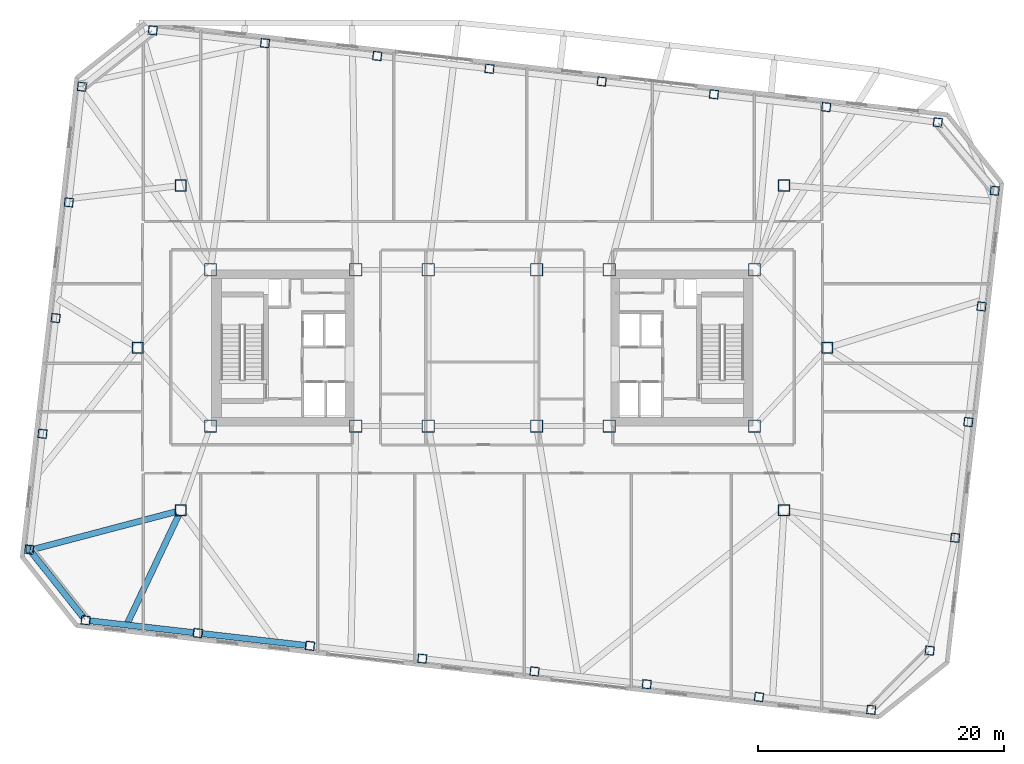
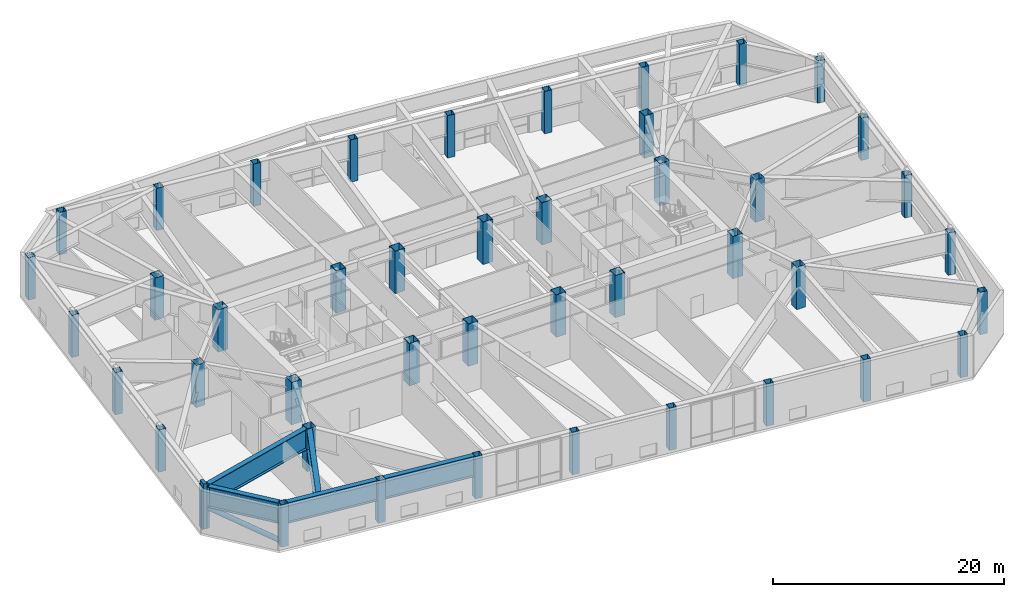
# One storey, part 1 of 19: 44 columns, 5 beams, 2 members.
"""IFC4 building model written with IfcOpenShell, lengths in metres."""

from ifc_helpers import new_model, si_unit, direction, frame, origin, origin_2d, place, context, subcontext, project, spatial, rectangle, hollow_rectangle, hollow_circle, i_section, extrude, material, material_profile, profile_set, type_object, element, save


model = new_model("IFC4")

# Units and contexts
model_context = context("Model", 3, precision=1e-05, world=origin(), true_north=direction((0.0, 1.0)))
body_context = subcontext(model_context, "Body", "Model", "MODEL_VIEW")
ifc_project = project(units=[si_unit("LENGTHUNIT", "METRE"), si_unit("AREAUNIT", "SQUARE_METRE"), si_unit("VOLUMEUNIT", "CUBIC_METRE"), si_unit("PLANEANGLEUNIT", "RADIAN"), si_unit("MASSUNIT", "GRAM", prefix="KILO")], contexts=[model_context])

# Site, building, storey
site_placement = place(None, origin())
site = spatial("IfcSite", under=ifc_project, at=site_placement, CompositionType="ELEMENT")
building_placement = place(site_placement, origin())
building = spatial("IfcBuilding", under=site, at=building_placement, Name="Tavrogorsk Clinical Tower", CompositionType="ELEMENT")
storey_placement = place(building_placement, frame((0.0, 0.0, 141.39990234375)))
storey = spatial("IfcBuildingStorey", under=building, at=storey_placement, Name="L32", CompositionType="ELEMENT", Elevation=141.39990234375)

# Columns
ifc_material_1 = material(Name="Structural steel S440", Category="steel")
ifc_material_profile_1 = material_profile(ifc_material_1, hollow_rectangle(XDim=1.0, YDim=1.0, WallThickness=0.044921875, at=origin_2d()), Name="BOX-1000x1000x45")
ifc_profile_set_1 = profile_set([ifc_material_profile_1], Name="Structural steel S440")
column_type_1 = type_object("IfcColumnType", Name="MegaCol_BOX1000", PredefinedType="COLUMN", material=ifc_profile_set_1)
for number, where, z_axis, x_axis, name in (
    (1, (-22.10009765625, -6.35009765625, 0.0), (0.0, 0.0, 1.0), (1.0, 0.0, 0.0), "L32 Mega Column MC-W1"),
    (2, (-22.10009765625, 6.35009765625, 0.0), (0.0, 0.0, 1.0), (1.0, 0.0, 0.0), "L32 Mega Column MC-W2"),
    (3, (-10.300048828125, -6.35009765625, 0.0), (0.0, 0.0, 1.0), (1.0, 0.0, 0.0), "L32 Mega Column MC-W3"),
    (4, (-10.300048828125, 6.35009765625, 0.0), (0.0, 0.0, 1.0), (1.0, 0.0, 0.0), "L32 Mega Column MC-W4"),
    (5, (10.300048828125, -6.35009765625, 0.0), (0.0, 0.0, 1.0), (1.0, 0.0, 0.0), "L32 Mega Column MC-E1"),
    (6, (10.300048828125, 6.35009765625, 0.0), (0.0, 0.0, 1.0), (1.0, 0.0, 0.0), "L32 Mega Column MC-E2"),
    (7, (22.10009765625, -6.35009765625, 0.0), (0.0, 0.0, 1.0), (1.0, 0.0, 0.0), "L32 Mega Column MC-E3"),
    (8, (22.10009765625, 6.35009765625, 0.0), (0.0, 0.0, 1.0), (1.0, 0.0, 0.0), "L32 Mega Column MC-E4"),
    (9, (-4.39990234375, -6.35009765625, 0.0), (0.0, 0.0, 1.0), (1.0, 0.0, 0.0), "L32 Mega Column MC-C1"),
    (10, (4.39990234375, -6.35009765625, 0.0), (0.0, 0.0, 1.0), (1.0, 0.0, 0.0), "L32 Mega Column MC-C2"),
    (11, (-4.39990234375, 6.35009765625, 0.0), (0.0, 0.0, 1.0), (1.0, 0.0, 0.0), "L32 Mega Column MC-C3"),
    (12, (4.39990234375, 6.35009765625, 0.0), (0.0, 0.0, 1.0), (1.0, 0.0, 0.0), "L32 Mega Column MC-C4"),
):
    element("IfcColumn", number, at=place(storey_placement, frame(where, z_axis=z_axis, x_axis=x_axis)), inside=storey, type_object=column_type_1, Name=name, PredefinedType="COLUMN", context=body_context, shape_type="SweptSolid", body=[
        extrude(hollow_rectangle(XDim=1.0, YDim=1.0, WallThickness=0.044921875, at=origin_2d()), origin(), (0.0, 0.0, 1.0), 4.47998046875),
    ])
ifc_material_2 = material(Name="Structural steel S440", Category="steel")
ifc_material_profile_2 = material_profile(ifc_material_2, hollow_rectangle(XDim=0.89990234375, YDim=0.89990234375, WallThickness=0.0400390625, at=origin_2d()), Name="BOX-900x900x40")
ifc_profile_set_2 = profile_set([ifc_material_profile_2], Name="Structural steel S440")
column_type_2 = type_object("IfcColumnType", Name="MegaCol_BOX900", PredefinedType="COLUMN", material=ifc_profile_set_2)
for number, where, z_axis, x_axis, name in (
    (13, (-24.5, -13.199951171875, 0.0), (0.0, 0.0, 1.0), (1.0, 0.0, 0.0), "L32 Spine Pilotis Column MC-P1"),
    (14, (24.5, -13.199951171875, 0.0), (0.0, 0.0, 1.0), (1.0, 0.0, 0.0), "L32 Spine Pilotis Column MC-P2"),
    (15, (-24.5, 13.199951171875, 0.0), (0.0, 0.0, 1.0), (1.0, 0.0, 0.0), "L32 Spine Pilotis Column MC-P3"),
    (16, (24.5, 13.199951171875, 0.0), (0.0, 0.0, 1.0), (1.0, 0.0, 0.0), "L32 Spine Pilotis Column MC-P4"),
    (17, (-28.0, 0.0, 0.0), (0.0, 0.0, 1.0), (1.0, 0.0, 0.0), "L32 Spine Pilotis Column MC-P5"),
    (18, (28.0, 0.0, 0.0), (0.0, 0.0, 1.0), (1.0, 0.0, 0.0), "L32 Spine Pilotis Column MC-P6"),
):
    element("IfcColumn", number, at=place(storey_placement, frame(where, z_axis=z_axis, x_axis=x_axis)), inside=storey, type_object=column_type_2, Name=name, PredefinedType="COLUMN", context=body_context, shape_type="SweptSolid", body=[
        extrude(hollow_rectangle(XDim=0.89990234375, YDim=0.89990234375, WallThickness=0.0400390625, at=origin_2d()), origin(), (0.0, 0.0, 1.0), 4.47998046875),
    ])
ifc_material_3 = material(Name="Structural steel S440", Category="steel")
ifc_material_profile_3 = material_profile(ifc_material_3, hollow_rectangle(XDim=0.699951171875, YDim=0.699951171875, WallThickness=0.031982421875, at=origin_2d()), Name="BOX-700x700x32")
ifc_profile_set_3 = profile_set([ifc_material_profile_3], Name="Structural steel S440")
column_type_3 = type_object("IfcColumnType", Name="PerimCol_B2_BOX700", PredefinedType="COLUMN", material=ifc_profile_set_3)
for number, where, z_axis, x_axis, name in (
    (19, (-32.243896484375, -22.12890625, 0.0), (0.0, 0.0, 1.0), (0.993571855677, -0.113203213768, 0.0), "L32 Perimeter Column S1"),
    (20, (-23.1259765625, -23.167724609375, 0.0), (0.0, 0.0, 1.0), (0.993571855677, -0.113203213768, 0.0), "L32 Perimeter Column S2"),
    (21, (-14.0078125, -24.20654296875, 0.0), (0.0, 0.0, 1.0), (0.993571855677, -0.113203213768, 0.0), "L32 Perimeter Column S3"),
    (22, (-4.8896484375, -25.24560546875, 0.0), (0.0, 0.0, 1.0), (0.993571855677, -0.113203213768, 0.0), "L32 Perimeter Column S4"),
    (23, (4.228515625, -26.284423828125, 0.0), (0.0, 0.0, 1.0), (0.993571855677, -0.113203213768, 0.0), "L32 Perimeter Column S5"),
    (24, (13.3466796875, -27.3232421875, 0.0), (0.0, 0.0, 1.0), (0.993571855677, -0.113203213768, 0.0), "L32 Perimeter Column S6"),
    (25, (22.465087890625, -28.3623046875, 0.0), (0.0, 0.0, 1.0), (0.993571855677, -0.113203213768, 0.0), "L32 Perimeter Column S7"),
    (26, (31.5830078125, -29.40087890625, 0.0), (0.0, 0.0, 1.0), (0.993571855677, -0.113203213768, 0.0), "L32 Perimeter Column S8"),
    (27, (36.99658203125, 18.323486328125, 0.0), (0.0, 0.0, 1.0), (0.993571855677, -0.113203213768, 0.0), "L32 Perimeter Column N1"),
    (28, (27.92578125, 19.567626953125, 0.0), (0.0, 0.0, 1.0), (0.993571855677, -0.113203213768, 0.0), "L32 Perimeter Column N2"),
    (29, (18.8076171875, 20.606689453125, 0.0), (0.0, 0.0, 1.0), (0.993571855677, -0.113203213768, 0.0), "L32 Perimeter Column N3"),
    (30, (9.689697265625, 21.6455078125, 0.0), (0.0, 0.0, 1.0), (0.993571855677, -0.113203213768, 0.0), "L32 Perimeter Column N4"),
    (31, (0.5712890625, 22.684326171875, 0.0), (0.0, 0.0, 1.0), (0.993571855677, -0.113203213768, 0.0), "L32 Perimeter Column N5"),
    (32, (-8.546875, 23.723388671875, 0.0), (0.0, 0.0, 1.0), (0.993571855677, -0.113203213768, 0.0), "L32 Perimeter Column N6"),
    (33, (-17.6650390625, 24.76220703125, 0.0), (0.0, 0.0, 1.0), (0.993571855677, -0.113203213768, 0.0), "L32 Perimeter Column N7"),
    (34, (-26.783203125, 25.801025390625, 0.0), (0.0, 0.0, 1.0), (0.993571855677, -0.113203213768, 0.0), "L32 Perimeter Column N8"),
    (35, (36.335693359375, -24.591796875, 0.0), (0.0, 0.0, 1.0), (0.993571855677, -0.113203213768, 0.0), "L32 Perimeter Column E1"),
    (36, (38.4091796875, -15.423828125, 0.0), (0.0, 0.0, 1.0), (0.993571855677, -0.113203213768, 0.0), "L32 Perimeter Column E2"),
    (37, (39.47998046875, -6.024658203125, 0.0), (0.0, 0.0, 1.0), (0.993571855677, -0.113203213768, 0.0), "L32 Perimeter Column E3"),
    (38, (40.551025390625, 3.37451171875, 0.0), (0.0, 0.0, 1.0), (0.993571855677, -0.113203213768, 0.0), "L32 Perimeter Column E4"),
    (39, (41.621826171875, 12.773681640625, 0.0), (0.0, 0.0, 1.0), (0.993571855677, -0.113203213768, 0.0), "L32 Perimeter Column E5"),
    (40, (-32.538330078125, 21.22314453125, 0.0), (0.0, 0.0, 1.0), (0.993571855677, -0.113203213768, 0.0), "L32 Perimeter Column W1"),
    (41, (-33.609130859375, 11.823974609375, 0.0), (0.0, 0.0, 1.0), (0.993571855677, -0.113203213768, 0.0), "L32 Perimeter Column W2"),
    (42, (-34.68017578125, 2.4248046875, 0.0), (0.0, 0.0, 1.0), (0.993571855677, -0.113203213768, 0.0), "L32 Perimeter Column W3"),
    (43, (-35.7509765625, -6.974365234375, 0.0), (0.0, 0.0, 1.0), (0.993571855677, -0.113203213768, 0.0), "L32 Perimeter Column W4"),
    (44, (-36.822021484375, -16.37353515625, 0.0), (0.0, 0.0, 1.0), (0.993571855677, -0.113203213768, 0.0), "L32 Perimeter Column W5"),
):
    element("IfcColumn", number, at=place(storey_placement, frame(where, z_axis=z_axis, x_axis=x_axis)), inside=storey, type_object=column_type_3, Name=name, PredefinedType="COLUMN", context=body_context, shape_type="SweptSolid", body=[
        extrude(hollow_rectangle(XDim=0.699951171875, YDim=0.699951171875, WallThickness=0.031982421875, at=origin_2d()), origin(), (0.0, 0.0, 1.0), 4.47998046875),
    ])

# Members
ifc_material_4 = material(Name="Structural steel S440", Category="steel")
ifc_material_profile_4 = material_profile(ifc_material_4, hollow_circle(Radius=0.25390625, WallThickness=0.02001953125, at=origin_2d()), Name="CHS-508x20")
ifc_profile_set_4 = profile_set([ifc_material_profile_4], Name="Structural steel S440")
member_type_1 = type_object("IfcMemberType", Name="ExoBrace_CHS508", PredefinedType="BRACE", material=ifc_profile_set_4)
member_1_placement = place(storey_placement, frame((-32.45947265625, -21.85791015625, 0.390869140625), z_axis=(-0.602129427585, 0.756968785862, 0.253847217175), x_axis=(-0.782603488936, -0.622520504967, 0.0)))
element("IfcMember", 45, at=member_1_placement, inside=storey, type_object=member_type_1, Name="L32 Corner Exoskeleton Brace W5-S1", PredefinedType="BRACE", context=body_context, shape_type="SweptSolid", body=[
    extrude(hollow_circle(Radius=0.25390625, WallThickness=0.02001953125, at=origin_2d()), origin(), (0.0, 0.0, 1.0), 6.88720703125),
])
ifc_material_5 = material(Name="Precast concrete B45 with limestone cladding", Category="masonry")
ifc_material_profile_5 = material_profile(ifc_material_5, rectangle(XDim=0.320068359375, YDim=0.719970703125, at=origin_2d()), Name="LIMESTONE-FIN-320x720")
ifc_profile_set_5 = profile_set([ifc_material_profile_5], Name="Precast concrete B45 with limestone cladding")
member_type_2 = type_object("IfcMemberType", Name="LimestonePleatFin_320x720", PredefinedType="USERDEFINED", material=ifc_profile_set_5)
member_2_placement = place(storey_placement, frame((-36.9013671875, -16.364501953125, 0.0), z_axis=(0.0, 0.0, 1.0), x_axis=(0.993571855677, -0.113203213768, 0.0)))
element("IfcMember", 46, at=member_2_placement, inside=storey, type_object=member_type_2, Name="L32 W Pleated Stone Fin 4", ObjectType="FIN", PredefinedType="USERDEFINED", context=body_context, shape_type="SweptSolid", body=[
    extrude(rectangle(XDim=0.320068359375, YDim=0.719970703125, at=origin_2d()), origin(), (0.0, 0.0, 1.0), 4.800048828125),
])

# Beams
ifc_material_6 = material(Name="Structural steel S440", Category="steel")
ifc_material_profile_6 = material_profile(ifc_material_6, i_section(OverallWidth=0.5, OverallDepth=2.199951171875, WebThickness=0.035888671875, FlangeThickness=0.054931640625, at=origin_2d()), Name="DK-2200x500x36x55")
ifc_profile_set_6 = profile_set([ifc_material_profile_6], Name="Structural steel S440")
beam_type = type_object("IfcBeamType", Name="TransferGirder_DK2200", PredefinedType="USERDEFINED", material=ifc_profile_set_6)
beam_1_placement = place(storey_placement, frame((-31.88818359375, -22.16943359375, 3.380126953125), z_axis=(0.99357232562, -0.113199089054, 0.0), x_axis=(0.113199089054, 0.99357232562, 0.0)))
element("IfcBeam", 47, at=beam_1_placement, inside=storey, type_object=beam_type, Name="L32 Perimeter Spandrel S1-S2", ObjectType="GIRDER", PredefinedType="USERDEFINED", context=body_context, shape_type="SweptSolid", body=[
    extrude(i_section(OverallWidth=0.5, OverallDepth=2.199951171875, WebThickness=0.035888671875, FlangeThickness=0.054931640625, at=origin_2d()), origin(), (0.0, 0.0, 1.0), 8.4609375),
])
beam_2_placement = place(storey_placement, frame((-22.770263671875, -23.208251953125, 3.380126953125), z_axis=(0.99357306506, -0.113192598642, 0.0), x_axis=(0.113192598642, 0.99357306506, 0.0)))
element("IfcBeam", 48, at=beam_2_placement, inside=storey, type_object=beam_type, Name="L32 Perimeter Spandrel S2-S3", ObjectType="GIRDER", PredefinedType="USERDEFINED", context=body_context, shape_type="SweptSolid", body=[
    extrude(i_section(OverallWidth=0.5, OverallDepth=2.199951171875, WebThickness=0.035888671875, FlangeThickness=0.054931640625, at=origin_2d()), origin(), (0.0, 0.0, 1.0), 8.46142578125),
])
beam_3_placement = place(storey_placement, frame((-36.59912109375, -16.65380859375, 3.380126953125), z_axis=(0.622530733212, -0.782595352788, 0.0), x_axis=(0.782595352788, 0.622530733212, 0.0)))
element("IfcBeam", 49, at=beam_3_placement, inside=storey, type_object=beam_type, Name="L32 Perimeter Spandrel W5-S1", ObjectType="GIRDER", PredefinedType="USERDEFINED", context=body_context, shape_type="SweptSolid", body=[
    extrude(i_section(OverallWidth=0.5, OverallDepth=2.199951171875, WebThickness=0.035888671875, FlangeThickness=0.054931640625, at=origin_2d()), origin(), (0.0, 0.0, 1.0), 6.637939453125),
])
beam_4_placement = place(storey_placement, frame((-24.675537109375, -13.570556640625, 3.380126953125), z_axis=(-0.428085283624, -0.903738341526, 0.0), x_axis=(0.903738341526, -0.428085283624, 0.0)))
element("IfcBeam", 50, at=beam_4_placement, inside=storey, type_object=beam_type, Name="L33 Block Transfer Girder S1", ObjectType="GIRDER", PredefinedType="USERDEFINED", context=body_context, shape_type="SweptSolid", body=[
    extrude(i_section(OverallWidth=0.5, OverallDepth=2.199951171875, WebThickness=0.035888671875, FlangeThickness=0.054931640625, at=origin_2d()), origin(), (0.0, 0.0, 1.0), 9.890380859375),
])
beam_5_placement = place(storey_placement, frame((-24.896484375, -13.304443359375, 3.380126953125), z_axis=(-0.966952376314, -0.254957059013, 0.0), x_axis=(0.254957059013, -0.966952376314, 0.0)))
element("IfcBeam", 51, at=beam_5_placement, inside=storey, type_object=beam_type, Name="L33 Block Transfer Girder W5", ObjectType="GIRDER", PredefinedType="USERDEFINED", context=body_context, shape_type="SweptSolid", body=[
    extrude(i_section(OverallWidth=0.5, OverallDepth=2.199951171875, WebThickness=0.035888671875, FlangeThickness=0.054931640625, at=origin_2d()), origin(), (0.0, 0.0, 1.0), 12.281982421875),
])

save(model, "model.ifc")
